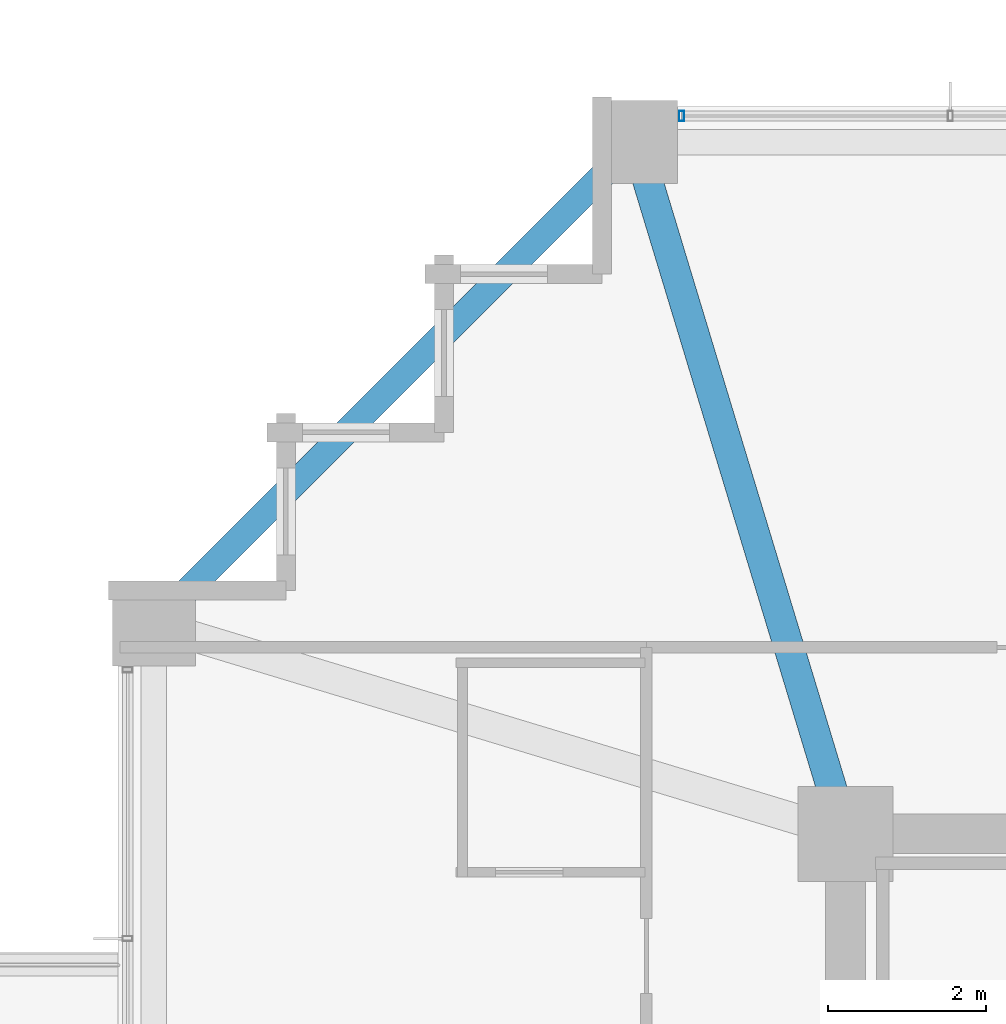
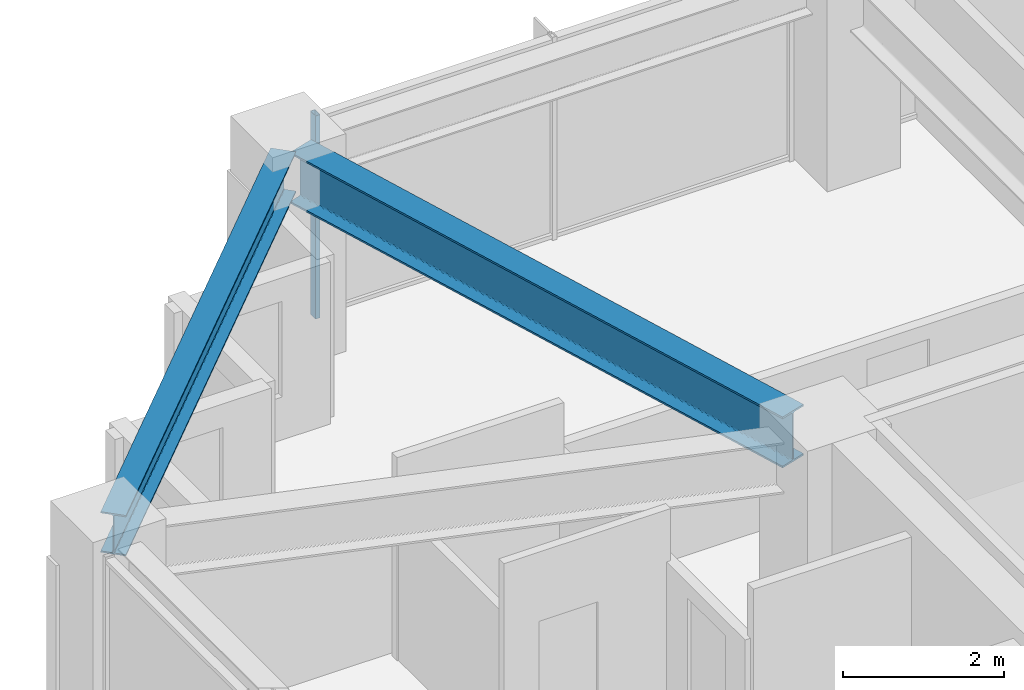
# One storey, part 18 of 35: 2 beams, 1 member, 1 element without a shape of its own.
"""IFC4 building model written with IfcOpenShell, lengths in metres."""

from ifc_helpers import new_model, si_unit, direction, frame, origin, origin_2d, place, context, subcontext, project, spatial, hollow_rectangle, i_section, extrude, material, material_profile, profile_set, type_object, element, aggregate, save


model = new_model("IFC4")

# Units and contexts
model_context = context("Model", 3, precision=1e-05, world=origin(), true_north=direction((0.0, 1.0)))
body_context = subcontext(model_context, "Body", "Model", "MODEL_VIEW")
ifc_project = project(units=[si_unit("LENGTHUNIT", "METRE"), si_unit("AREAUNIT", "SQUARE_METRE"), si_unit("VOLUMEUNIT", "CUBIC_METRE"), si_unit("PLANEANGLEUNIT", "RADIAN"), si_unit("MASSUNIT", "GRAM", prefix="KILO")], contexts=[model_context])

# Site, building, storey
site_placement = place(None, origin())
site = spatial("IfcSite", under=ifc_project, at=site_placement, CompositionType="ELEMENT")
building_placement = place(site_placement, origin())
building = spatial("IfcBuilding", under=site, at=building_placement, Name="Kolvaren Belvedere", CompositionType="ELEMENT")
storey_placement = place(building_placement, frame((0.0, 0.0, 115.10009765625)))
storey = spatial("IfcBuildingStorey", under=building, at=storey_placement, Name="L33", CompositionType="ELEMENT", Elevation=115.10009765625)

# Beams
ifc_material_1 = material(Name="Structural steel ASTM A992 Grade 50", Category="steel")
ifc_material_profile_1 = material_profile(ifc_material_1, i_section(OverallWidth=0.381103515625, OverallDepth=0.77294921875, WebThickness=0.0166015625, FlangeThickness=0.027099609375, FilletRadius=0.02392578125, at=origin_2d()), Name="W30X173")
ifc_profile_set_1 = profile_set([ifc_material_profile_1], Name="Structural steel ASTM A992 Grade 50")
beam_type_1 = type_object("IfcBeamType", Name="BM-GIRD-W30X173", PredefinedType="BEAM", material=ifc_profile_set_1)
beam_1_placement = place(storey_placement, frame((-10.059326171875, 10.426513671875, 2.693359375), z_axis=(-0.289858652454, 0.957069465398, 0.0), x_axis=(-0.957069465398, -0.289858652454, 0.0)))
element("IfcBeam", 1, at=beam_1_placement, inside=storey, type_object=beam_type_1, Name="L33 Corner Core-to-Perimeter Girder CC4-N1", PredefinedType="BEAM", context=body_context, shape_type="SweptSolid", body=[
    extrude(i_section(OverallWidth=0.381103515625, OverallDepth=0.77294921875, WebThickness=0.0166015625, FlangeThickness=0.027099609375, FilletRadius=0.02392578125, at=origin_2d()), origin(), (0.0, 0.0, 1.0), 8.38232421875),
])
ifc_material_2 = material(Name="Structural steel ASTM A992 Grade 50", Category="steel")
ifc_material_profile_2 = material_profile(ifc_material_2, i_section(OverallWidth=0.324951171875, OverallDepth=0.615966796875, WebThickness=0.013916015625, FlangeThickness=0.021484375, FilletRadius=0.02001953125, at=origin_2d()), Name="W24X117")
ifc_profile_set_2 = profile_set([ifc_material_profile_2], Name="Structural steel ASTM A992 Grade 50")
beam_type_2 = type_object("IfcBeamType", Name="BM-SPAN-W24X117", PredefinedType="SPANDREL", material=ifc_profile_set_2)
beam_2_placement = place(storey_placement, frame((-12.717041015625, 18.48291015625, 2.77197265625), z_axis=(-0.707106781187, -0.707106781187, 0.0), x_axis=(0.707106781187, -0.707106781187, 0.0)))
element("IfcBeam", 2, at=beam_2_placement, inside=storey, type_object=beam_type_2, Name="L33 Perimeter Spandrel N1-W4", PredefinedType="SPANDREL", context=body_context, shape_type="SweptSolid", body=[
    extrude(i_section(OverallWidth=0.324951171875, OverallDepth=0.615966796875, WebThickness=0.013916015625, FlangeThickness=0.021484375, FilletRadius=0.02001953125, at=origin_2d()), origin(), (0.0, 0.0, 1.0), 8.154052734375),
])

# Curtain wall, member
ifc_material_3 = material(Name="Anodised pale-metal aluminium AA 6063-T6", Category="aluminium")
curtain_wall_type = type_object("IfcCurtainWallType", Name="CW-Z3-WAIST", PredefinedType="NOTDEFINED", material=ifc_material_3)
curtain_wall_placement = place(storey_placement, origin())
curtain_wall = element("IfcCurtainWall", 3, at=curtain_wall_placement, inside=storey, type_object=curtain_wall_type, Name="L33 Unitised Curtain Wall FCW-L33-N-B1", PredefinedType="NOTDEFINED")
ifc_material_4 = material(Name="Anodised pale-metal aluminium AA 6063-T6", Category="aluminium")
ifc_material_profile_3 = material_profile(ifc_material_4, hollow_rectangle(XDim=0.06494140625, YDim=0.1298828125, WallThickness=0.00390625, at=origin_2d()), Name="ALU-MUL-130X65")
ifc_profile_set_3 = profile_set([ifc_material_profile_3], Name="Anodised pale-metal aluminium AA 6063-T6")
member_type = type_object("IfcMemberType", Name="CW-MUL-130", PredefinedType="MULLION", material=ifc_profile_set_3)
member_placement = place(storey_placement, frame((-11.972412109375, 18.97998046875, 0.0), z_axis=(0.0, 0.0, 1.0), x_axis=(1.0, 0.0, 0.0)))
member = element("IfcMember", 4, at=member_placement, type_object=member_type, Name="FCW-L33-N-B1 Unitised Mullion 1", PredefinedType="MULLION", context=body_context, shape_type="SweptSolid", body=[
    extrude(hollow_rectangle(XDim=0.06494140625, YDim=0.1298828125, WallThickness=0.00390625, at=origin_2d()), origin(), (0.0, 0.0, 1.0), 3.079833984375),
])
aggregate(curtain_wall, [member])

save(model, "model.ifc")
